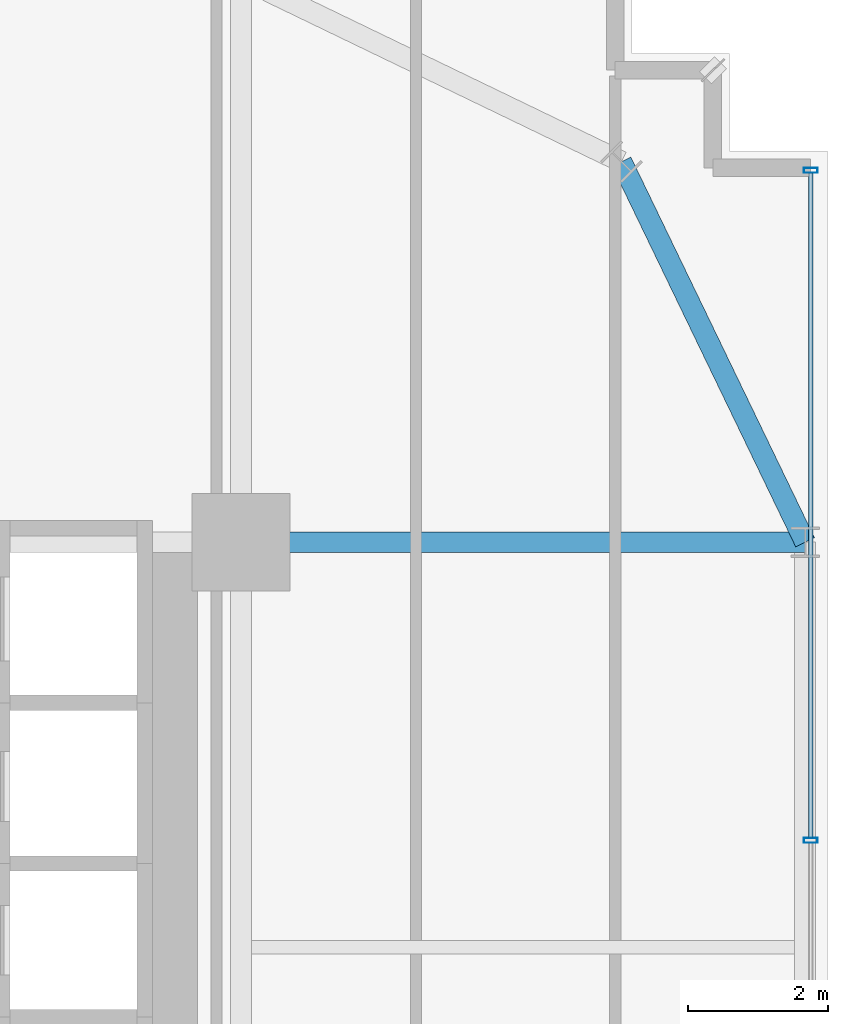
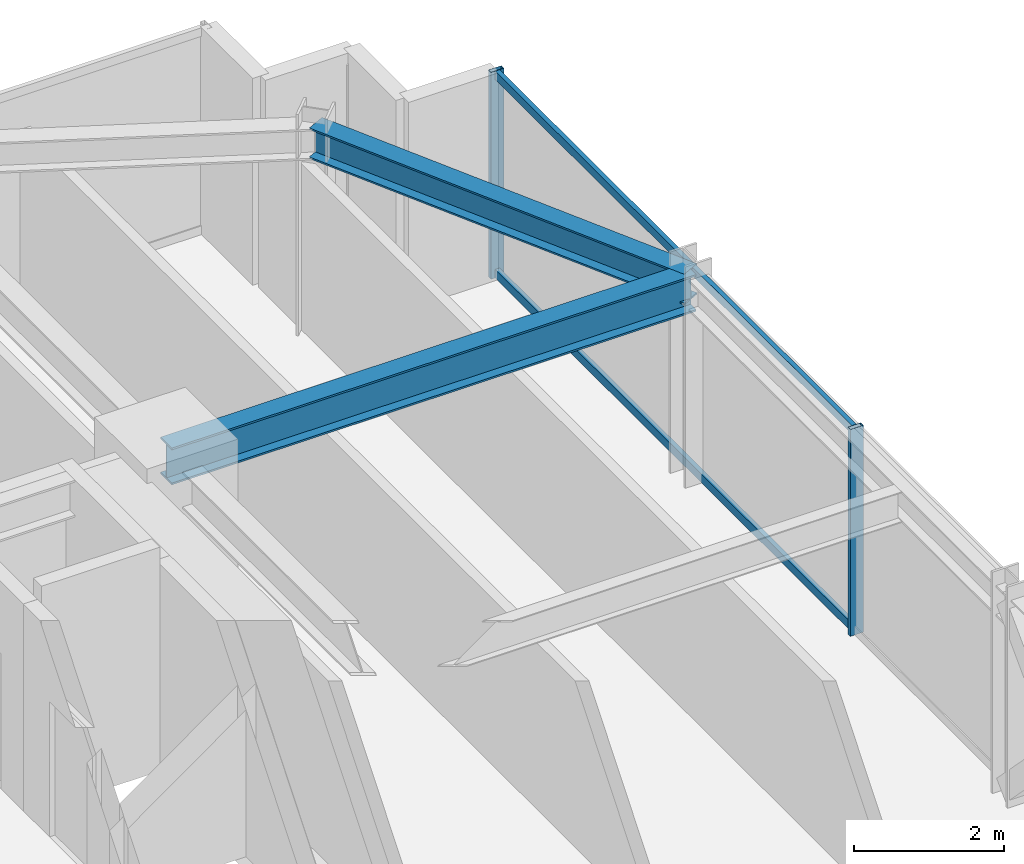
# One storey, part 27 of 43: 4 members, 2 beams, 1 element without a shape of its own.
"""IFC4 building model written with IfcOpenShell, lengths in metres."""

from ifc_helpers import new_model, si_unit, direction, frame, origin, origin_2d, place, context, subcontext, project, spatial, hollow_rectangle, i_section, extrude, source, transform, mapped, material, material_profile, profile_set, type_object, element, aggregate, save


model = new_model("IFC4")

# Units and contexts
model_context = context("Model", 3, precision=1e-05, world=origin(), true_north=direction((0.0, 1.0)))
body_context = subcontext(model_context, "Body", "Model", "MODEL_VIEW")
ifc_project = project(units=[si_unit("LENGTHUNIT", "METRE"), si_unit("AREAUNIT", "SQUARE_METRE"), si_unit("VOLUMEUNIT", "CUBIC_METRE"), si_unit("PLANEANGLEUNIT", "RADIAN"), si_unit("MASSUNIT", "GRAM", prefix="KILO")], contexts=[model_context])

# Site, building, storey
site_placement = place(None, origin())
site = spatial("IfcSite", under=ifc_project, at=site_placement, CompositionType="ELEMENT")
building_placement = place(site_placement, origin())
building = spatial("IfcBuilding", under=site, at=building_placement, Name="Nahalor Promenade Grand Hotel", CompositionType="ELEMENT")
storey_placement = place(building_placement, frame((0.0, 0.0, 47.0)))
storey = spatial("IfcBuildingStorey", under=building, at=storey_placement, Name="L10", CompositionType="ELEMENT", Elevation=47.0)

# Beams
ifc_material_1 = material(Name="Steel S355JR", Category="steel")
ifc_material_profile_1 = material_profile(ifc_material_1, i_section(OverallWidth=0.3, OverallDepth=0.6, WebThickness=0.0155, FlangeThickness=0.03, at=origin_2d()), Name="HEB 600")
ifc_profile_set_1 = profile_set([ifc_material_profile_1], Name="Steel S355JR")
beam_type_1 = type_object("IfcBeamType", Name="Beam-Girder-HEB600", PredefinedType="BEAM", material=ifc_profile_set_1)
shared_shape_1 = source(origin(), body_context, "Body", "SweptSolid", [
    extrude(i_section(OverallWidth=0.3, OverallDepth=0.6, WebThickness=0.0155, FlangeThickness=0.03, at=origin_2d()), origin(), (0.0, 0.0, 1.0), 8.080078125),
])
beam_1_placement = place(storey_placement, frame((17.0, 17.0, 3.070068359375), z_axis=(1.0, 0.0, 0.0), x_axis=(0.0, 1.0, 0.0)))
element("IfcBeam", 1, at=beam_1_placement, inside=storey, type_object=beam_type_1, Name="BM-L10-GX-3-6", PredefinedType="BEAM", context=body_context, shape_type="MappedRepresentation", body=[
    mapped(shared_shape_1, transform((0.0, 0.0, 0.0), scale=1.0)),
])
ifc_material_profile_2 = material_profile(ifc_material_1, i_section(OverallWidth=0.3, OverallDepth=0.5, WebThickness=0.0145, FlangeThickness=0.028, at=origin_2d()), Name="HEB 500")
ifc_profile_set_2 = profile_set([ifc_material_profile_2], Name="Steel S355JR")
beam_type_2 = type_object("IfcBeamType", Name="Beam-Spandrel-HEB500", PredefinedType="SPANDREL", material=ifc_profile_set_2)
shared_shape_2 = source(origin(), body_context, "Body", "SweptSolid", [
    extrude(i_section(OverallWidth=0.3, OverallDepth=0.5, WebThickness=0.0145, FlangeThickness=0.028, at=origin_2d()), origin(), (0.0, 0.0, 1.0), 6.051513671875),
])
beam_2_placement = place(storey_placement, frame((22.449951171875, 22.449951171875, 3.1201171875), z_axis=(0.434630596492, -0.900608818852, 0.0), x_axis=(0.900608818852, 0.434630596492, 0.0)))
element("IfcBeam", 2, at=beam_2_placement, inside=storey, type_object=beam_type_2, Name="BM-L10-SPC-NE-2", PredefinedType="SPANDREL", context=body_context, shape_type="MappedRepresentation", body=[
    mapped(shared_shape_2, transform((0.0, 0.0, 0.0), scale=1.0)),
])

# Curtain wall, members
ifc_material_2 = material(Name="Anodised Bronze Aluminium EN AW-6063 T6", Category="aluminium")
curtain_wall_type = type_object("IfcCurtainWallType", Name="CW3 Elliptical-Void Collar Unitised Curtain Wall", PredefinedType="USERDEFINED", material=ifc_material_2)
curtain_wall_placement = place(storey_placement, origin())
curtain_wall = element("IfcCurtainWall", 3, at=curtain_wall_placement, inside=storey, type_object=curtain_wall_type, Name="L10 Curtain Wall CW-L10-E-2", ObjectType="UNITISED_CURTAIN_WALL", PredefinedType="USERDEFINED")
ifc_material_profile_3 = material_profile(ifc_material_2, hollow_rectangle(XDim=0.07, YDim=0.2, WallThickness=0.005, at=origin_2d()), Name="CWM 70x200x5")
ifc_profile_set_3 = profile_set([ifc_material_profile_3], Name="Anodised Bronze Aluminium EN AW-6063 T6")
member_type_1 = type_object("IfcMemberType", Name="CWM3 Void Collar Mullion 70x200", PredefinedType="MULLION", material=ifc_profile_set_3)
shared_shape_3 = source(origin(), body_context, "Body", "SweptSolid", [
    extrude(hollow_rectangle(XDim=0.07, YDim=0.2, WallThickness=0.005, at=origin_2d()), origin(), (0.0, 0.0, 1.0), 3.3701171875),
])
member_1_placement = place(storey_placement, frame((25.159912109375, 12.72998046875, 0.0), z_axis=(0.0, 0.0, 1.0), x_axis=(0.0, 1.0, 0.0)))
member_1 = element("IfcMember", 4, at=member_1_placement, type_object=member_type_1, Name="CW-L10-E-2 Mullion 1", PredefinedType="MULLION", context=body_context, shape_type="MappedRepresentation", body=[
    mapped(shared_shape_3, transform((0.0, 0.0, 0.0), scale=1.0)),
])
member_2_placement = place(storey_placement, frame((25.159912109375, 22.324951171875, 0.0), z_axis=(0.0, 0.0, 1.0), x_axis=(0.0, 1.0, 0.0)))
member_2 = element("IfcMember", 5, at=member_2_placement, type_object=member_type_1, Name="CW-L10-E-2 Mullion 2", PredefinedType="MULLION", context=body_context, shape_type="MappedRepresentation", body=[
    mapped(shared_shape_3, transform((0.0, 0.0, 0.0), scale=1.0)),
])
ifc_material_profile_4 = material_profile(ifc_material_2, hollow_rectangle(XDim=0.07, YDim=0.14, WallThickness=0.004, at=origin_2d()), Name="CWT 70x140x4")
ifc_profile_set_4 = profile_set([ifc_material_profile_4], Name="Anodised Bronze Aluminium EN AW-6063 T6")
member_type_2 = type_object("IfcMemberType", Name="CWT3 Void Collar Transom 70x140", PredefinedType="USERDEFINED", material=ifc_profile_set_4)
shared_shape_4 = source(origin(), body_context, "Body", "SweptSolid", [
    extrude(hollow_rectangle(XDim=0.07, YDim=0.14, WallThickness=0.004, at=origin_2d()), origin(), (0.0, 0.0, 1.0), 9.525146484375),
])
member_3_placement = place(storey_placement, frame((25.159912109375, 12.764892578125, 0.070068359375), z_axis=(0.0, 1.0, 0.0), x_axis=(-1.0, 0.0, 0.0)))
member_3 = element("IfcMember", 6, at=member_3_placement, type_object=member_type_2, Name="CW-L10-E-2 Transom 1-0", ObjectType="TRANSOM", PredefinedType="USERDEFINED", context=body_context, shape_type="MappedRepresentation", body=[
    mapped(shared_shape_4, transform((0.0, 0.0, 0.0), scale=1.0)),
])
member_4_placement = place(storey_placement, frame((25.159912109375, 12.764892578125, 3.300048828125), z_axis=(0.0, 1.0, 0.0), x_axis=(-1.0, 0.0, 0.0)))
member_4 = element("IfcMember", 7, at=member_4_placement, type_object=member_type_2, Name="CW-L10-E-2 Transom 1-1", ObjectType="TRANSOM", PredefinedType="USERDEFINED", context=body_context, shape_type="MappedRepresentation", body=[
    mapped(shared_shape_4, transform((0.0, 0.0, 0.0), scale=1.0)),
])
aggregate(curtain_wall, [member_1, member_2, member_3, member_4])

save(model, "model.ifc")
